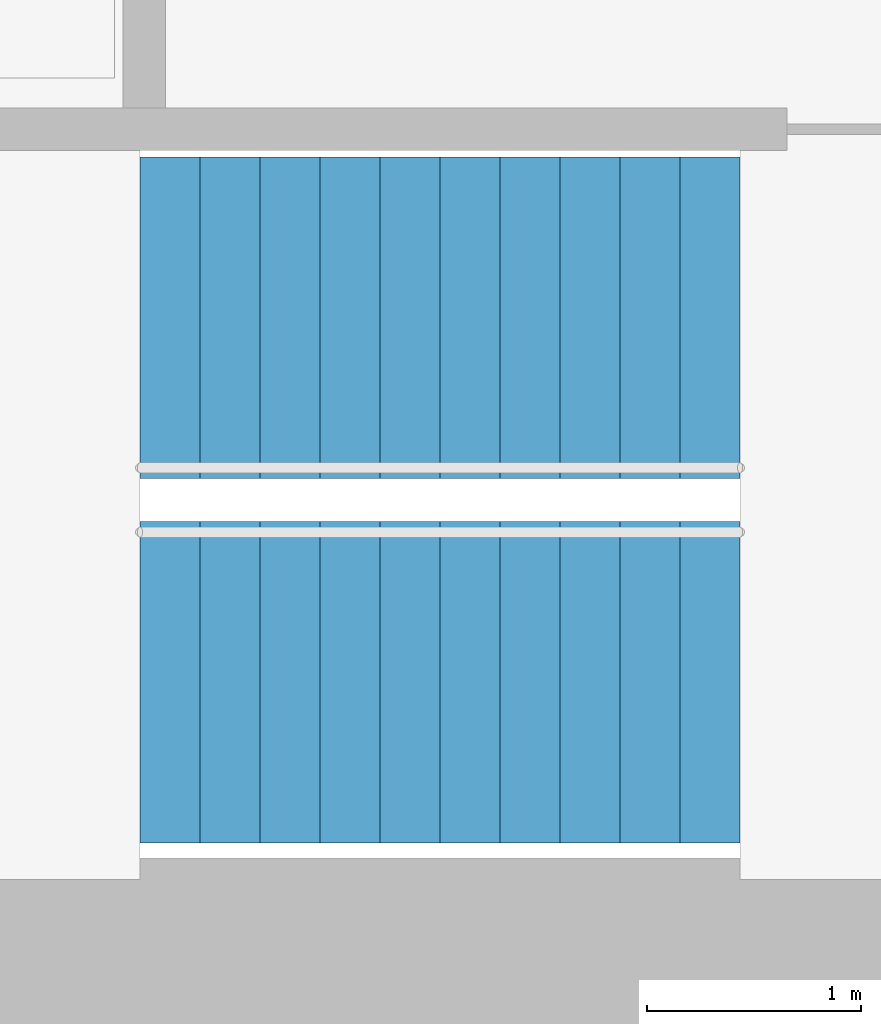
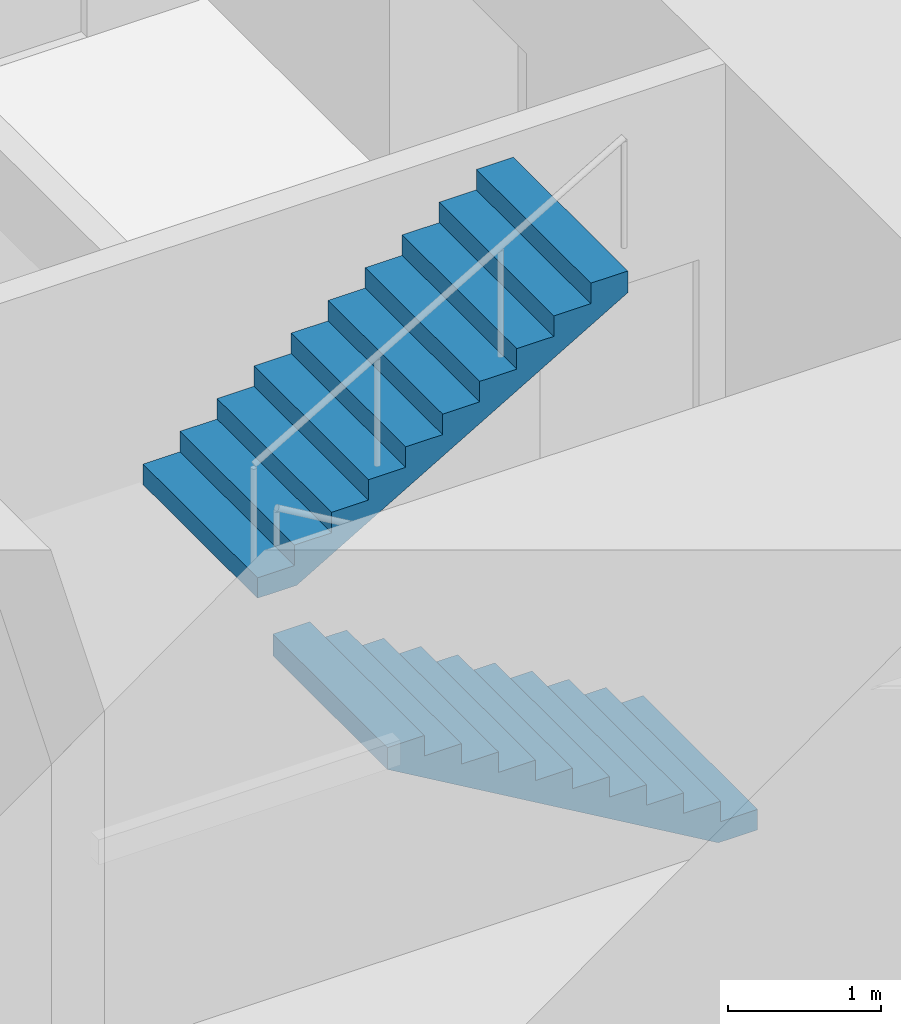
# One storey, part 14 of 15: 2 stair flights, 1 element without a shape of its own.
"""IFC4 building model written with IfcOpenShell, lengths in metres."""

import ifcopenshell
import ifcopenshell.guid

model = None  # the IFC model being written
_history = None  # IfcOwnerHistory: only IFC2X3 demands one
_inside = {}  # id of a spatial element -> (the spatial element, [elements in it])
_under = {}  # id of a project, library or spatial element -> (it, [spatial elements below it])
_declared = {}  # id of a project -> (the project, [libraries it declares])
_typed = {}  # id of a type object -> (the type object, [elements of that type])
_made_of = {}  # id of a material, layer set ... -> (it, [elements and type objects made of it])


def new_model(schema):
    """Start an empty IFC model of exactly this schema.

    Asked for "IFC4X3", IfcOpenShell would pick the latest addendum, in which some entities
    have other attributes; the version numbers below select the first issue.
    IFC2X3 requires an IfcOwnerHistory on every rooted entity: one is made here for all.
    """
    global model, _history
    if schema == "IFC4X3":
        model = ifcopenshell.file(schema_version=(4, 3, 0, 0))
    else:
        model = ifcopenshell.file(schema=schema)
    _inside.clear()
    _under.clear()
    _declared.clear()
    _typed.clear()
    _made_of.clear()
    _history = None
    if model.schema == "IFC2X3":
        org = make("IfcOrganization", Name="unknown")
        user = make(
            "IfcPersonAndOrganization",
            ThePerson=make("IfcPerson", FamilyName="unknown"),
            TheOrganization=org,
        )
        app = make(
            "IfcApplication",
            ApplicationDeveloper=org,
            Version="unknown",
            ApplicationFullName="unknown",
            ApplicationIdentifier="unknown",
        )
        _history = make(
            "IfcOwnerHistory",
            OwningUser=user,
            OwningApplication=app,
            ChangeAction="ADDED",
            CreationDate=0,
        )
    return model


def make(cls, **values):
    """One entity of the class cls with the attributes given. An attribute that is None is left unset."""
    return model.create_entity(
        cls, **{name: value for name, value in values.items() if value is not None}
    )


def rooted(cls, **values):
    """An entity with a GlobalId (a new one), such as an element, a storey or a relation."""
    return make(cls, GlobalId=ifcopenshell.guid.new(), OwnerHistory=_history, **values)


def si_unit(unit_type, name, prefix=None):
    """IfcSIUnit, for example si_unit("LENGTHUNIT", "METRE", prefix="MILLI")."""
    return make("IfcSIUnit", UnitType=unit_type, Prefix=prefix, Name=name)


def assignment(units):
    """IfcUnitAssignment: the units of a project."""
    return None if units is None else make("IfcUnitAssignment", Units=units)


def point(xyz):
    """IfcCartesianPoint."""
    return None if xyz is None else make("IfcCartesianPoint", Coordinates=xyz)


def direction(xyz):
    """IfcDirection."""
    return None if xyz is None else make("IfcDirection", DirectionRatios=xyz)


def frame(location, z_axis=None, x_axis=None):
    """IfcAxis2Placement3D, a coordinate frame: its origin and axes. An axis left out is left unset."""
    return make(
        "IfcAxis2Placement3D",
        Location=point(location),
        Axis=direction(z_axis),
        RefDirection=direction(x_axis),
    )


def origin():
    """The frame at (0, 0, 0) with its axes left unset."""
    return frame((0.0, 0.0, 0.0))


def place(relative_to, where):
    """IfcLocalPlacement: puts the frame where relative to a parent placement (None: the world)."""
    return make(
        "IfcLocalPlacement", PlacementRelTo=relative_to, RelativePlacement=where
    )


def context(
    kind, dimensions, precision=None, world=None, true_north=None, identifier=None
):
    """IfcGeometricRepresentationContext, for example the 3D "Model" context."""
    return make(
        "IfcGeometricRepresentationContext",
        ContextIdentifier=identifier,
        ContextType=kind,
        CoordinateSpaceDimension=dimensions,
        Precision=precision,
        WorldCoordinateSystem=world,
        TrueNorth=true_north,
    )


def subcontext(parent, identifier, kind, view, scale=None):
    """IfcGeometricRepresentationSubContext, for example "Body" below "Model"."""
    return make(
        "IfcGeometricRepresentationSubContext",
        ContextIdentifier=identifier,
        ContextType=kind,
        ParentContext=parent,
        TargetScale=scale,
        TargetView=view,
    )


def project(units=None, contexts=None):
    """IfcProject with its units and contexts."""
    return rooted(
        "IfcProject",
        Name="project",
        RepresentationContexts=contexts,
        UnitsInContext=assignment(units),
    )


def spatial(cls, under=None, at=None, **own):
    """A site, building, storey or space (cls), placed at a placement, below another one or the project."""
    s = rooted(cls, ObjectPlacement=at, **own)
    if under is not None:
        _under.setdefault(under.id(), (under, []))[1].append(s)
    return s


def point_list(points):
    """IfcCartesianPointList2D or 3D."""
    cls = (
        "IfcCartesianPointList2D" if len(points[0]) == 2 else "IfcCartesianPointList3D"
    )
    return make(cls, CoordList=points)


def triangles(points, corners, closed=None, point_numbers=None):
    """IfcTriangulatedFaceSet: each triangle names its three corners, points numbered from 1."""
    return make(
        "IfcTriangulatedFaceSet",
        Coordinates=point_list(points),
        Closed=closed,
        CoordIndex=corners,
        PnIndex=point_numbers,
    )


def shape(context_of_items, identifier, shape_type, items):
    """IfcShapeRepresentation: the items that make up one representation, for example the "Body"."""
    return make(
        "IfcShapeRepresentation",
        ContextOfItems=context_of_items,
        RepresentationIdentifier=identifier,
        RepresentationType=shape_type,
        Items=items,
    )


def material(Name=None, Category=None):
    """IfcMaterial."""
    return make("IfcMaterial", Name=Name, Category=Category)


def made_of(thing, what):
    """Note that an element or type object is made of a material, layer set ...; save() writes the relation."""
    if what is not None:
        _made_of.setdefault(what.id(), (what, []))[1].append(thing)
    return thing


def type_object(cls, material=None, **own):
    """A type object (cls), such as IfcWallType, which elements share."""
    return made_of(rooted(cls, **own), material)


def element(
    cls,
    number,
    at=None,
    inside=None,
    cuts=None,
    type_object=None,
    material=None,
    context=None,
    identifier="Body",
    shape_type=None,
    held_by="IfcProductDefinitionShape",
    body=None,
    shapes=None,
    **own,
):
    """One element of the class cls, such as IfcWall. Its Tag is "e" and its number.

    at: its placement. inside: the storey or other place that contains it. cuts: it is an
    opening in that element (IfcRelVoidsElement). A single representation is given by context,
    identifier, shape_type and body (its items); several are given by shapes. held_by: the class
    of the entity that holds the representations. save() writes the other relations.
    """
    e = rooted(cls, Tag="e%d" % number, ObjectPlacement=at, **own)
    if body is not None:
        shapes = [shape(context, identifier, shape_type, body)]
    if shapes is not None:
        e.Representation = make(held_by, Representations=shapes)
    if inside is not None:
        _inside.setdefault(inside.id(), (inside, []))[1].append(e)
    if cuts is not None:
        rooted(
            "IfcRelVoidsElement", RelatingBuildingElement=cuts, RelatedOpeningElement=e
        )
    if type_object is not None:
        _typed.setdefault(type_object.id(), (type_object, []))[1].append(e)
    return made_of(e, material)


def aggregate(whole, parts):
    """IfcRelAggregates: a whole, such as a stair, and the parts it consists of."""
    return rooted("IfcRelAggregates", RelatingObject=whole, RelatedObjects=parts)


def save(model, path):
    """Write the relations noted so far, then the file.

    IfcRelAggregates (storeys below a building ...), IfcRelContainedInSpatialStructure (elements
    in a storey), IfcRelDefinesByType, IfcRelAssociatesMaterial and IfcRelDeclares: one each for
    every whole, place, type object, material and project.
    """
    for whole, parts in _under.values():
        aggregate(whole, parts)
    for where, things in _inside.values():
        rooted(
            "IfcRelContainedInSpatialStructure",
            RelatedElements=things,
            RelatingStructure=where,
        )
    for kind, things in _typed.values():
        rooted("IfcRelDefinesByType", RelatedObjects=things, RelatingType=kind)
    for what, things in _made_of.values():
        rooted("IfcRelAssociatesMaterial", RelatedObjects=things, RelatingMaterial=what)
    for by, libraries in _declared.values():
        rooted("IfcRelDeclares", RelatingContext=by, RelatedDefinitions=libraries)
    model.write(path)


model = new_model("IFC4")

# Units and contexts
model_context = context("Model", 3, precision=1e-05, world=origin(), true_north=direction((0.0, 1.0)))
body_context = subcontext(model_context, "Body", "Model", "MODEL_VIEW")
ifc_project = project(units=[si_unit("LENGTHUNIT", "METRE"), si_unit("AREAUNIT", "SQUARE_METRE"), si_unit("VOLUMEUNIT", "CUBIC_METRE"), si_unit("PLANEANGLEUNIT", "RADIAN"), si_unit("MASSUNIT", "GRAM", prefix="KILO")], contexts=[model_context])

# Site, building, storey
site_placement = place(None, origin())
site = spatial("IfcSite", under=ifc_project, at=site_placement, CompositionType="ELEMENT")
building_placement = place(site_placement, origin())
building = spatial("IfcBuilding", under=site, at=building_placement, Name="Lantaw Convention Tower", CompositionType="ELEMENT")
storey_placement = place(building_placement, frame((0.0, 0.0, 65.800048828125)))
storey = spatial("IfcBuildingStorey", under=building, at=storey_placement, Name="L14", CompositionType="ELEMENT", Elevation=65.800048828125)

# Stair, stair flights
ifc_material = material(Name="Concrete C35/45", Category="concrete")
stair_type = type_object("IfcStairType", Name="Exit stair 1500 riser 163.64 in 2 flights", PredefinedType="HALF_TURN_STAIR", material=ifc_material)
stair_placement = place(storey_placement, origin())
stair = element("IfcStair", 1, at=stair_placement, inside=storey, type_object=stair_type, Name="Exit stair S2 L14", PredefinedType="HALF_TURN_STAIR")
stair_flight_type = type_object("IfcStairFlightType", Name="Stair flight 1500 riser 163.64", PredefinedType="STRAIGHT", material=ifc_material)
stair_flight_1_placement = place(storey_placement, frame((10.580078125, -5.97998046875, 0.0), z_axis=(0.0, 0.0, 1.0), x_axis=(-1.0, 0.0, 0.0)))
stair_flight_1 = element("IfcStairFlight", 2, at=stair_flight_1_placement, type_object=stair_flight_type, Name="S2 flight 1", NumberOfRisers=11, NumberOfTreads=10, PredefinedType="STRAIGHT", RiserHeight=0.163636364, TreadLength=0.28, context=body_context, shape_type="Tessellation", body=[
    triangles([(0.0, 0.75, 0.0), (0.0, 0.75, 0.163636364), (0.28, 0.75, 0.0), (0.28, 0.75, 0.163636364), (0.28, 0.75, 0.327272728), (0.2970904571225277, 0.75, 0.0), (0.2970904571225277, 0.75, 0.327272728), (0.56, 0.75, 0.1536484344906131), (0.56, 0.75, 0.327272728), (0.56, 0.75, 0.490909092), (0.8400000000000001, 0.75, 0.3172847984906131), (0.8400000000000001, 0.75, 0.490909092), (0.8400000000000001, 0.75, 0.654545456), (1.12, 0.75, 0.4809211624906131), (1.12, 0.75, 0.654545456), (1.12, 0.75, 0.8181818200000001), (1.4000000000000001, 0.75, 0.6445575264906132), (1.4000000000000001, 0.75, 0.8181818200000001), (1.4000000000000001, 0.75, 0.981818184), (1.6800000000000002, 0.75, 0.8081938904906131), (1.6800000000000002, 0.75, 0.981818184), (1.6800000000000002, 0.75, 1.145454548), (1.9600000000000002, 0.75, 0.9718302544906131), (1.9600000000000002, 0.75, 1.145454548), (1.9600000000000002, 0.75, 1.309090912), (2.24, 0.75, 1.135466618490613), (2.24, 0.75, 1.309090912), (2.24, 0.75, 1.472727276), (2.5200000000000005, 0.75, 1.2991029824906133), (2.5200000000000005, 0.75, 1.472727276), (2.5200000000000005, 0.75, 1.6363636400000001), (2.8000000000000003, 0.75, 1.462739346490613), (2.8000000000000003, 0.75, 1.6363636400000001), (0.0, -0.75, 0.0), (0.0, -0.75, 0.163636364), (0.28, -0.75, 0.0), (0.28, -0.75, 0.163636364), (0.28, -0.75, 0.327272728), (0.2970904571225277, -0.75, 0.0), (0.2970904571225277, -0.75, 0.327272728), (0.56, -0.75, 0.1536484344906131), (0.56, -0.75, 0.327272728), (0.56, -0.75, 0.490909092), (0.8400000000000001, -0.75, 0.3172847984906131), (0.8400000000000001, -0.75, 0.490909092), (0.8400000000000001, -0.75, 0.654545456), (1.12, -0.75, 0.4809211624906131), (1.12, -0.75, 0.654545456), (1.12, -0.75, 0.8181818200000001), (1.4000000000000001, -0.75, 0.6445575264906132), (1.4000000000000001, -0.75, 0.8181818200000001), (1.4000000000000001, -0.75, 0.981818184), (1.6800000000000002, -0.75, 0.8081938904906131), (1.6800000000000002, -0.75, 0.981818184), (1.6800000000000002, -0.75, 1.145454548), (1.9600000000000002, -0.75, 0.9718302544906131), (1.9600000000000002, -0.75, 1.145454548), (1.9600000000000002, -0.75, 1.309090912), (2.24, -0.75, 1.135466618490613), (2.24, -0.75, 1.309090912), (2.24, -0.75, 1.472727276), (2.5200000000000005, -0.75, 1.2991029824906133), (2.5200000000000005, -0.75, 1.472727276), (2.5200000000000005, -0.75, 1.6363636400000001), (2.8000000000000003, -0.75, 1.462739346490613), (2.8000000000000003, -0.75, 1.6363636400000001), (0.0, 0.15000000000000002, 0.163636364), (0.0, 0.15000000000000002, 0.0), (0.0, 0.0, 0.163636364), (0.0, 0.0, 0.0), (0.0, -0.15000000000000002, 0.163636364), (0.0, -0.15000000000000002, 0.0), (0.28, 0.15000000000000002, 0.327272728), (0.28, 0.15000000000000002, 0.163636364), (0.28, 0.0, 0.327272728), (0.28, 0.0, 0.163636364), (0.28, -0.15000000000000002, 0.327272728), (0.28, -0.15000000000000002, 0.163636364), (0.56, 0.15000000000000002, 0.490909092), (0.56, 0.15000000000000002, 0.327272728), (0.56, 0.0, 0.490909092), (0.56, 0.0, 0.327272728), (0.56, -0.15000000000000002, 0.490909092), (0.56, -0.15000000000000002, 0.327272728), (0.8400000000000001, 0.15000000000000002, 0.654545456), (0.8400000000000001, 0.15000000000000002, 0.490909092), (0.8400000000000001, 0.0, 0.654545456), (0.8400000000000001, 0.0, 0.490909092), (0.8400000000000001, -0.15000000000000002, 0.654545456), (0.8400000000000001, -0.15000000000000002, 0.490909092), (1.12, 0.15000000000000002, 0.8181818200000001), (1.12, 0.15000000000000002, 0.654545456), (1.12, 0.0, 0.8181818200000001), (1.12, 0.0, 0.654545456), (1.12, -0.15000000000000002, 0.8181818200000001), (1.12, -0.15000000000000002, 0.654545456), (1.4000000000000001, 0.15000000000000002, 0.981818184), (1.4000000000000001, 0.15000000000000002, 0.8181818200000001), (1.4000000000000001, 0.0, 0.981818184), (1.4000000000000001, 0.0, 0.8181818200000001), (1.4000000000000001, -0.15000000000000002, 0.981818184), (1.4000000000000001, -0.15000000000000002, 0.8181818200000001), (1.6800000000000002, 0.15000000000000002, 1.145454548), (1.6800000000000002, 0.15000000000000002, 0.981818184), (1.6800000000000002, 0.0, 1.145454548), (1.6800000000000002, 0.0, 0.981818184), (1.6800000000000002, -0.15000000000000002, 1.145454548), (1.6800000000000002, -0.15000000000000002, 0.981818184), (1.9600000000000002, 0.15000000000000002, 1.309090912), (1.9600000000000002, 0.15000000000000002, 1.145454548), (1.9600000000000002, 0.0, 1.309090912), (1.9600000000000002, 0.0, 1.145454548), (1.9600000000000002, -0.15000000000000002, 1.309090912), (1.9600000000000002, -0.15000000000000002, 1.145454548), (2.24, 0.15000000000000002, 1.472727276), (2.24, 0.15000000000000002, 1.309090912), (2.24, 0.0, 1.472727276), (2.24, 0.0, 1.309090912), (2.24, -0.15000000000000002, 1.472727276), (2.24, -0.15000000000000002, 1.309090912), (2.5200000000000005, 0.15000000000000002, 1.6363636400000001), (2.5200000000000005, 0.15000000000000002, 1.472727276), (2.5200000000000005, 0.0, 1.6363636400000001), (2.5200000000000005, 0.0, 1.472727276), (2.5200000000000005, -0.15000000000000002, 1.6363636400000001), (2.5200000000000005, -0.15000000000000002, 1.472727276), (0.2970904571225277, 0.15000000000000002, 0.327272728), (0.2970904571225277, 0.0, 0.327272728), (0.2970904571225277, -0.15000000000000002, 0.327272728), (2.8000000000000003, 0.15000000000000002, 1.6363636400000001), (2.8000000000000003, 0.0, 1.6363636400000001), (2.8000000000000003, -0.15000000000000002, 1.6363636400000001), (2.8000000000000003, 0.15000000000000002, 1.462739346490613), (2.8000000000000003, 0.0, 1.462739346490613), (2.8000000000000003, -0.15000000000000002, 1.462739346490613), (2.5200000000000005, 0.15000000000000002, 1.2991029824906133), (2.5200000000000005, 0.0, 1.2991029824906133), (2.5200000000000005, -0.15000000000000002, 1.2991029824906133), (2.24, 0.15000000000000002, 1.135466618490613), (2.24, 0.0, 1.135466618490613), (2.24, -0.15000000000000002, 1.135466618490613), (1.9600000000000002, 0.15000000000000002, 0.9718302544906131), (1.9600000000000002, 0.0, 0.9718302544906131), (1.9600000000000002, -0.15000000000000002, 0.9718302544906131), (1.6800000000000002, 0.15000000000000002, 0.8081938904906131), (1.6800000000000002, 0.0, 0.8081938904906131), (1.6800000000000002, -0.15000000000000002, 0.8081938904906131), (1.4000000000000001, 0.15000000000000002, 0.6445575264906132), (1.4000000000000001, 0.0, 0.6445575264906132), (1.4000000000000001, -0.15000000000000002, 0.6445575264906132), (1.12, 0.15000000000000002, 0.4809211624906131), (1.12, 0.0, 0.4809211624906131), (1.12, -0.15000000000000002, 0.4809211624906131), (0.8400000000000001, 0.15000000000000002, 0.3172847984906131), (0.8400000000000001, 0.0, 0.3172847984906131), (0.8400000000000001, -0.15000000000000002, 0.3172847984906131), (0.56, 0.15000000000000002, 0.1536484344906131), (0.56, 0.0, 0.1536484344906131), (0.56, -0.15000000000000002, 0.1536484344906131), (0.2970904571225277, 0.15000000000000002, 0.0), (0.2970904571225277, 0.0, 0.0), (0.2970904571225277, -0.15000000000000002, 0.0), (0.28, 0.15000000000000002, 0.0), (0.28, 0.0, 0.0), (0.28, -0.15000000000000002, 0.0)], [[1, 4, 3], [1, 2, 4], [3, 4, 6], [4, 7, 6], [4, 5, 7], [6, 9, 8], [6, 7, 9], [8, 9, 11], [9, 12, 11], [9, 10, 12], [11, 12, 14], [12, 15, 14], [12, 13, 15], [14, 15, 17], [15, 18, 17], [15, 16, 18], [17, 18, 20], [18, 21, 20], [18, 19, 21], [20, 21, 23], [21, 24, 23], [21, 22, 24], [23, 24, 26], [24, 27, 26], [24, 25, 27], [26, 27, 29], [27, 30, 29], [27, 28, 30], [29, 30, 32], [30, 33, 32], [30, 31, 33], [34, 36, 37], [34, 37, 35], [36, 39, 37], [37, 39, 40], [37, 40, 38], [39, 41, 42], [39, 42, 40], [41, 44, 42], [42, 44, 45], [42, 45, 43], [44, 47, 45], [45, 47, 48], [45, 48, 46], [47, 50, 48], [48, 50, 51], [48, 51, 49], [50, 53, 51], [51, 53, 54], [51, 54, 52], [53, 56, 54], [54, 56, 57], [54, 57, 55], [56, 59, 57], [57, 59, 60], [57, 60, 58], [59, 62, 60], [60, 62, 63], [60, 63, 61], [62, 65, 63], [63, 65, 66], [63, 66, 64], [1, 67, 2], [1, 68, 67], [68, 69, 67], [68, 70, 69], [70, 71, 69], [70, 72, 71], [72, 35, 71], [72, 34, 35], [4, 73, 5], [4, 74, 73], [74, 75, 73], [74, 76, 75], [76, 77, 75], [76, 78, 77], [78, 38, 77], [78, 37, 38], [9, 79, 10], [9, 80, 79], [80, 81, 79], [80, 82, 81], [82, 83, 81], [82, 84, 83], [84, 43, 83], [84, 42, 43], [12, 85, 13], [12, 86, 85], [86, 87, 85], [86, 88, 87], [88, 89, 87], [88, 90, 89], [90, 46, 89], [90, 45, 46], [15, 91, 16], [15, 92, 91], [92, 93, 91], [92, 94, 93], [94, 95, 93], [94, 96, 95], [96, 49, 95], [96, 48, 49], [18, 97, 19], [18, 98, 97], [98, 99, 97], [98, 100, 99], [100, 101, 99], [100, 102, 101], [102, 52, 101], [102, 51, 52], [21, 103, 22], [21, 104, 103], [104, 105, 103], [104, 106, 105], [106, 107, 105], [106, 108, 107], [108, 55, 107], [108, 54, 55], [24, 109, 25], [24, 110, 109], [110, 111, 109], [110, 112, 111], [112, 113, 111], [112, 114, 113], [114, 58, 113], [114, 57, 58], [27, 115, 28], [27, 116, 115], [116, 117, 115], [116, 118, 117], [118, 119, 117], [118, 120, 119], [120, 61, 119], [120, 60, 61], [30, 121, 31], [30, 122, 121], [122, 123, 121], [122, 124, 123], [124, 125, 123], [124, 126, 125], [126, 64, 125], [126, 63, 64], [2, 74, 4], [2, 67, 74], [67, 76, 74], [67, 69, 76], [69, 78, 76], [69, 71, 78], [71, 37, 78], [71, 35, 37], [5, 127, 7], [5, 73, 127], [73, 128, 127], [73, 75, 128], [75, 129, 128], [75, 77, 129], [77, 40, 129], [77, 38, 40], [7, 80, 9], [7, 127, 80], [127, 82, 80], [127, 128, 82], [128, 84, 82], [128, 129, 84], [129, 42, 84], [129, 40, 42], [10, 86, 12], [10, 79, 86], [79, 88, 86], [79, 81, 88], [81, 90, 88], [81, 83, 90], [83, 45, 90], [83, 43, 45], [13, 92, 15], [13, 85, 92], [85, 94, 92], [85, 87, 94], [87, 96, 94], [87, 89, 96], [89, 48, 96], [89, 46, 48], [16, 98, 18], [16, 91, 98], [91, 100, 98], [91, 93, 100], [93, 102, 100], [93, 95, 102], [95, 51, 102], [95, 49, 51], [19, 104, 21], [19, 97, 104], [97, 106, 104], [97, 99, 106], [99, 108, 106], [99, 101, 108], [101, 54, 108], [101, 52, 54], [22, 110, 24], [22, 103, 110], [103, 112, 110], [103, 105, 112], [105, 114, 112], [105, 107, 114], [107, 57, 114], [107, 55, 57], [25, 116, 27], [25, 109, 116], [109, 118, 116], [109, 111, 118], [111, 120, 118], [111, 113, 120], [113, 60, 120], [113, 58, 60], [28, 122, 30], [28, 115, 122], [115, 124, 122], [115, 117, 124], [117, 126, 124], [117, 119, 126], [119, 63, 126], [119, 61, 63], [31, 130, 33], [31, 121, 130], [121, 131, 130], [121, 123, 131], [123, 132, 131], [123, 125, 132], [125, 66, 132], [125, 64, 66], [33, 133, 32], [33, 130, 133], [130, 134, 133], [130, 131, 134], [131, 135, 134], [131, 132, 135], [132, 65, 135], [132, 66, 65], [32, 136, 29], [32, 133, 136], [133, 137, 136], [133, 134, 137], [134, 138, 137], [134, 135, 138], [135, 62, 138], [135, 65, 62], [29, 139, 26], [29, 136, 139], [136, 140, 139], [136, 137, 140], [137, 141, 140], [137, 138, 141], [138, 59, 141], [138, 62, 59], [26, 142, 23], [26, 139, 142], [139, 143, 142], [139, 140, 143], [140, 144, 143], [140, 141, 144], [141, 56, 144], [141, 59, 56], [23, 145, 20], [23, 142, 145], [142, 146, 145], [142, 143, 146], [143, 147, 146], [143, 144, 147], [144, 53, 147], [144, 56, 53], [20, 148, 17], [20, 145, 148], [145, 149, 148], [145, 146, 149], [146, 150, 149], [146, 147, 150], [147, 50, 150], [147, 53, 50], [17, 151, 14], [17, 148, 151], [148, 152, 151], [148, 149, 152], [149, 153, 152], [149, 150, 153], [150, 47, 153], [150, 50, 47], [14, 154, 11], [14, 151, 154], [151, 155, 154], [151, 152, 155], [152, 156, 155], [152, 153, 156], [153, 44, 156], [153, 47, 44], [11, 157, 8], [11, 154, 157], [154, 158, 157], [154, 155, 158], [155, 159, 158], [155, 156, 159], [156, 41, 159], [156, 44, 41], [8, 160, 6], [8, 157, 160], [157, 161, 160], [157, 158, 161], [158, 162, 161], [158, 159, 162], [159, 39, 162], [159, 41, 39], [6, 163, 3], [6, 160, 163], [160, 164, 163], [160, 161, 164], [161, 165, 164], [161, 162, 165], [162, 36, 165], [162, 39, 36], [3, 68, 1], [3, 163, 68], [163, 70, 68], [163, 164, 70], [164, 72, 70], [164, 165, 72], [165, 34, 72], [165, 36, 34]], closed=True),
])
stair_flight_2_placement = place(storey_placement, frame((7.780029296875, -4.280029296875, 1.800048828125), z_axis=(0.0, 0.0, 1.0), x_axis=(1.0, 0.0, 0.0)))
stair_flight_2 = element("IfcStairFlight", 3, at=stair_flight_2_placement, type_object=stair_flight_type, Name="S2 flight 2", NumberOfRisers=11, NumberOfTreads=10, PredefinedType="STRAIGHT", RiserHeight=0.163636364, TreadLength=0.28, context=body_context, shape_type="Tessellation", body=[
    triangles([(0.0, 0.75, 0.0), (0.0, 0.75, 0.163636364), (0.28, 0.75, 0.0), (0.28, 0.75, 0.163636364), (0.28, 0.75, 0.327272728), (0.2970904571225277, 0.75, 0.0), (0.2970904571225277, 0.75, 0.327272728), (0.56, 0.75, 0.1536484344906131), (0.56, 0.75, 0.327272728), (0.56, 0.75, 0.490909092), (0.8400000000000001, 0.75, 0.3172847984906131), (0.8400000000000001, 0.75, 0.490909092), (0.8400000000000001, 0.75, 0.654545456), (1.12, 0.75, 0.4809211624906131), (1.12, 0.75, 0.654545456), (1.12, 0.75, 0.8181818200000001), (1.4000000000000001, 0.75, 0.6445575264906132), (1.4000000000000001, 0.75, 0.8181818200000001), (1.4000000000000001, 0.75, 0.981818184), (1.6800000000000002, 0.75, 0.8081938904906131), (1.6800000000000002, 0.75, 0.981818184), (1.6800000000000002, 0.75, 1.145454548), (1.9600000000000002, 0.75, 0.9718302544906131), (1.9600000000000002, 0.75, 1.145454548), (1.9600000000000002, 0.75, 1.309090912), (2.24, 0.75, 1.135466618490613), (2.24, 0.75, 1.309090912), (2.24, 0.75, 1.472727276), (2.5200000000000005, 0.75, 1.2991029824906133), (2.5200000000000005, 0.75, 1.472727276), (2.5200000000000005, 0.75, 1.6363636400000001), (2.8000000000000003, 0.75, 1.462739346490613), (2.8000000000000003, 0.75, 1.6363636400000001), (0.0, -0.75, 0.0), (0.0, -0.75, 0.163636364), (0.28, -0.75, 0.0), (0.28, -0.75, 0.163636364), (0.28, -0.75, 0.327272728), (0.2970904571225277, -0.75, 0.0), (0.2970904571225277, -0.75, 0.327272728), (0.56, -0.75, 0.1536484344906131), (0.56, -0.75, 0.327272728), (0.56, -0.75, 0.490909092), (0.8400000000000001, -0.75, 0.3172847984906131), (0.8400000000000001, -0.75, 0.490909092), (0.8400000000000001, -0.75, 0.654545456), (1.12, -0.75, 0.4809211624906131), (1.12, -0.75, 0.654545456), (1.12, -0.75, 0.8181818200000001), (1.4000000000000001, -0.75, 0.6445575264906132), (1.4000000000000001, -0.75, 0.8181818200000001), (1.4000000000000001, -0.75, 0.981818184), (1.6800000000000002, -0.75, 0.8081938904906131), (1.6800000000000002, -0.75, 0.981818184), (1.6800000000000002, -0.75, 1.145454548), (1.9600000000000002, -0.75, 0.9718302544906131), (1.9600000000000002, -0.75, 1.145454548), (1.9600000000000002, -0.75, 1.309090912), (2.24, -0.75, 1.135466618490613), (2.24, -0.75, 1.309090912), (2.24, -0.75, 1.472727276), (2.5200000000000005, -0.75, 1.2991029824906133), (2.5200000000000005, -0.75, 1.472727276), (2.5200000000000005, -0.75, 1.6363636400000001), (2.8000000000000003, -0.75, 1.462739346490613), (2.8000000000000003, -0.75, 1.6363636400000001), (0.0, 0.15000000000000002, 0.163636364), (0.0, 0.15000000000000002, 0.0), (0.0, 0.0, 0.163636364), (0.0, 0.0, 0.0), (0.0, -0.15000000000000002, 0.163636364), (0.0, -0.15000000000000002, 0.0), (0.28, 0.15000000000000002, 0.327272728), (0.28, 0.15000000000000002, 0.163636364), (0.28, 0.0, 0.327272728), (0.28, 0.0, 0.163636364), (0.28, -0.15000000000000002, 0.327272728), (0.28, -0.15000000000000002, 0.163636364), (0.56, 0.15000000000000002, 0.490909092), (0.56, 0.15000000000000002, 0.327272728), (0.56, 0.0, 0.490909092), (0.56, 0.0, 0.327272728), (0.56, -0.15000000000000002, 0.490909092), (0.56, -0.15000000000000002, 0.327272728), (0.8400000000000001, 0.15000000000000002, 0.654545456), (0.8400000000000001, 0.15000000000000002, 0.490909092), (0.8400000000000001, 0.0, 0.654545456), (0.8400000000000001, 0.0, 0.490909092), (0.8400000000000001, -0.15000000000000002, 0.654545456), (0.8400000000000001, -0.15000000000000002, 0.490909092), (1.12, 0.15000000000000002, 0.8181818200000001), (1.12, 0.15000000000000002, 0.654545456), (1.12, 0.0, 0.8181818200000001), (1.12, 0.0, 0.654545456), (1.12, -0.15000000000000002, 0.8181818200000001), (1.12, -0.15000000000000002, 0.654545456), (1.4000000000000001, 0.15000000000000002, 0.981818184), (1.4000000000000001, 0.15000000000000002, 0.8181818200000001), (1.4000000000000001, 0.0, 0.981818184), (1.4000000000000001, 0.0, 0.8181818200000001), (1.4000000000000001, -0.15000000000000002, 0.981818184), (1.4000000000000001, -0.15000000000000002, 0.8181818200000001), (1.6800000000000002, 0.15000000000000002, 1.145454548), (1.6800000000000002, 0.15000000000000002, 0.981818184), (1.6800000000000002, 0.0, 1.145454548), (1.6800000000000002, 0.0, 0.981818184), (1.6800000000000002, -0.15000000000000002, 1.145454548), (1.6800000000000002, -0.15000000000000002, 0.981818184), (1.9600000000000002, 0.15000000000000002, 1.309090912), (1.9600000000000002, 0.15000000000000002, 1.145454548), (1.9600000000000002, 0.0, 1.309090912), (1.9600000000000002, 0.0, 1.145454548), (1.9600000000000002, -0.15000000000000002, 1.309090912), (1.9600000000000002, -0.15000000000000002, 1.145454548), (2.24, 0.15000000000000002, 1.472727276), (2.24, 0.15000000000000002, 1.309090912), (2.24, 0.0, 1.472727276), (2.24, 0.0, 1.309090912), (2.24, -0.15000000000000002, 1.472727276), (2.24, -0.15000000000000002, 1.309090912), (2.5200000000000005, 0.15000000000000002, 1.6363636400000001), (2.5200000000000005, 0.15000000000000002, 1.472727276), (2.5200000000000005, 0.0, 1.6363636400000001), (2.5200000000000005, 0.0, 1.472727276), (2.5200000000000005, -0.15000000000000002, 1.6363636400000001), (2.5200000000000005, -0.15000000000000002, 1.472727276), (0.2970904571225277, 0.15000000000000002, 0.327272728), (0.2970904571225277, 0.0, 0.327272728), (0.2970904571225277, -0.15000000000000002, 0.327272728), (2.8000000000000003, 0.15000000000000002, 1.6363636400000001), (2.8000000000000003, 0.0, 1.6363636400000001), (2.8000000000000003, -0.15000000000000002, 1.6363636400000001), (2.8000000000000003, 0.15000000000000002, 1.462739346490613), (2.8000000000000003, 0.0, 1.462739346490613), (2.8000000000000003, -0.15000000000000002, 1.462739346490613), (2.5200000000000005, 0.15000000000000002, 1.2991029824906133), (2.5200000000000005, 0.0, 1.2991029824906133), (2.5200000000000005, -0.15000000000000002, 1.2991029824906133), (2.24, 0.15000000000000002, 1.135466618490613), (2.24, 0.0, 1.135466618490613), (2.24, -0.15000000000000002, 1.135466618490613), (1.9600000000000002, 0.15000000000000002, 0.9718302544906131), (1.9600000000000002, 0.0, 0.9718302544906131), (1.9600000000000002, -0.15000000000000002, 0.9718302544906131), (1.6800000000000002, 0.15000000000000002, 0.8081938904906131), (1.6800000000000002, 0.0, 0.8081938904906131), (1.6800000000000002, -0.15000000000000002, 0.8081938904906131), (1.4000000000000001, 0.15000000000000002, 0.6445575264906132), (1.4000000000000001, 0.0, 0.6445575264906132), (1.4000000000000001, -0.15000000000000002, 0.6445575264906132), (1.12, 0.15000000000000002, 0.4809211624906131), (1.12, 0.0, 0.4809211624906131), (1.12, -0.15000000000000002, 0.4809211624906131), (0.8400000000000001, 0.15000000000000002, 0.3172847984906131), (0.8400000000000001, 0.0, 0.3172847984906131), (0.8400000000000001, -0.15000000000000002, 0.3172847984906131), (0.56, 0.15000000000000002, 0.1536484344906131), (0.56, 0.0, 0.1536484344906131), (0.56, -0.15000000000000002, 0.1536484344906131), (0.2970904571225277, 0.15000000000000002, 0.0), (0.2970904571225277, 0.0, 0.0), (0.2970904571225277, -0.15000000000000002, 0.0), (0.28, 0.15000000000000002, 0.0), (0.28, 0.0, 0.0), (0.28, -0.15000000000000002, 0.0)], [[1, 4, 3], [1, 2, 4], [3, 4, 6], [4, 7, 6], [4, 5, 7], [6, 9, 8], [6, 7, 9], [8, 9, 11], [9, 12, 11], [9, 10, 12], [11, 12, 14], [12, 15, 14], [12, 13, 15], [14, 15, 17], [15, 18, 17], [15, 16, 18], [17, 18, 20], [18, 21, 20], [18, 19, 21], [20, 21, 23], [21, 24, 23], [21, 22, 24], [23, 24, 26], [24, 27, 26], [24, 25, 27], [26, 27, 29], [27, 30, 29], [27, 28, 30], [29, 30, 32], [30, 33, 32], [30, 31, 33], [34, 36, 37], [34, 37, 35], [36, 39, 37], [37, 39, 40], [37, 40, 38], [39, 41, 42], [39, 42, 40], [41, 44, 42], [42, 44, 45], [42, 45, 43], [44, 47, 45], [45, 47, 48], [45, 48, 46], [47, 50, 48], [48, 50, 51], [48, 51, 49], [50, 53, 51], [51, 53, 54], [51, 54, 52], [53, 56, 54], [54, 56, 57], [54, 57, 55], [56, 59, 57], [57, 59, 60], [57, 60, 58], [59, 62, 60], [60, 62, 63], [60, 63, 61], [62, 65, 63], [63, 65, 66], [63, 66, 64], [1, 67, 2], [1, 68, 67], [68, 69, 67], [68, 70, 69], [70, 71, 69], [70, 72, 71], [72, 35, 71], [72, 34, 35], [4, 73, 5], [4, 74, 73], [74, 75, 73], [74, 76, 75], [76, 77, 75], [76, 78, 77], [78, 38, 77], [78, 37, 38], [9, 79, 10], [9, 80, 79], [80, 81, 79], [80, 82, 81], [82, 83, 81], [82, 84, 83], [84, 43, 83], [84, 42, 43], [12, 85, 13], [12, 86, 85], [86, 87, 85], [86, 88, 87], [88, 89, 87], [88, 90, 89], [90, 46, 89], [90, 45, 46], [15, 91, 16], [15, 92, 91], [92, 93, 91], [92, 94, 93], [94, 95, 93], [94, 96, 95], [96, 49, 95], [96, 48, 49], [18, 97, 19], [18, 98, 97], [98, 99, 97], [98, 100, 99], [100, 101, 99], [100, 102, 101], [102, 52, 101], [102, 51, 52], [21, 103, 22], [21, 104, 103], [104, 105, 103], [104, 106, 105], [106, 107, 105], [106, 108, 107], [108, 55, 107], [108, 54, 55], [24, 109, 25], [24, 110, 109], [110, 111, 109], [110, 112, 111], [112, 113, 111], [112, 114, 113], [114, 58, 113], [114, 57, 58], [27, 115, 28], [27, 116, 115], [116, 117, 115], [116, 118, 117], [118, 119, 117], [118, 120, 119], [120, 61, 119], [120, 60, 61], [30, 121, 31], [30, 122, 121], [122, 123, 121], [122, 124, 123], [124, 125, 123], [124, 126, 125], [126, 64, 125], [126, 63, 64], [2, 74, 4], [2, 67, 74], [67, 76, 74], [67, 69, 76], [69, 78, 76], [69, 71, 78], [71, 37, 78], [71, 35, 37], [5, 127, 7], [5, 73, 127], [73, 128, 127], [73, 75, 128], [75, 129, 128], [75, 77, 129], [77, 40, 129], [77, 38, 40], [7, 80, 9], [7, 127, 80], [127, 82, 80], [127, 128, 82], [128, 84, 82], [128, 129, 84], [129, 42, 84], [129, 40, 42], [10, 86, 12], [10, 79, 86], [79, 88, 86], [79, 81, 88], [81, 90, 88], [81, 83, 90], [83, 45, 90], [83, 43, 45], [13, 92, 15], [13, 85, 92], [85, 94, 92], [85, 87, 94], [87, 96, 94], [87, 89, 96], [89, 48, 96], [89, 46, 48], [16, 98, 18], [16, 91, 98], [91, 100, 98], [91, 93, 100], [93, 102, 100], [93, 95, 102], [95, 51, 102], [95, 49, 51], [19, 104, 21], [19, 97, 104], [97, 106, 104], [97, 99, 106], [99, 108, 106], [99, 101, 108], [101, 54, 108], [101, 52, 54], [22, 110, 24], [22, 103, 110], [103, 112, 110], [103, 105, 112], [105, 114, 112], [105, 107, 114], [107, 57, 114], [107, 55, 57], [25, 116, 27], [25, 109, 116], [109, 118, 116], [109, 111, 118], [111, 120, 118], [111, 113, 120], [113, 60, 120], [113, 58, 60], [28, 122, 30], [28, 115, 122], [115, 124, 122], [115, 117, 124], [117, 126, 124], [117, 119, 126], [119, 63, 126], [119, 61, 63], [31, 130, 33], [31, 121, 130], [121, 131, 130], [121, 123, 131], [123, 132, 131], [123, 125, 132], [125, 66, 132], [125, 64, 66], [33, 133, 32], [33, 130, 133], [130, 134, 133], [130, 131, 134], [131, 135, 134], [131, 132, 135], [132, 65, 135], [132, 66, 65], [32, 136, 29], [32, 133, 136], [133, 137, 136], [133, 134, 137], [134, 138, 137], [134, 135, 138], [135, 62, 138], [135, 65, 62], [29, 139, 26], [29, 136, 139], [136, 140, 139], [136, 137, 140], [137, 141, 140], [137, 138, 141], [138, 59, 141], [138, 62, 59], [26, 142, 23], [26, 139, 142], [139, 143, 142], [139, 140, 143], [140, 144, 143], [140, 141, 144], [141, 56, 144], [141, 59, 56], [23, 145, 20], [23, 142, 145], [142, 146, 145], [142, 143, 146], [143, 147, 146], [143, 144, 147], [144, 53, 147], [144, 56, 53], [20, 148, 17], [20, 145, 148], [145, 149, 148], [145, 146, 149], [146, 150, 149], [146, 147, 150], [147, 50, 150], [147, 53, 50], [17, 151, 14], [17, 148, 151], [148, 152, 151], [148, 149, 152], [149, 153, 152], [149, 150, 153], [150, 47, 153], [150, 50, 47], [14, 154, 11], [14, 151, 154], [151, 155, 154], [151, 152, 155], [152, 156, 155], [152, 153, 156], [153, 44, 156], [153, 47, 44], [11, 157, 8], [11, 154, 157], [154, 158, 157], [154, 155, 158], [155, 159, 158], [155, 156, 159], [156, 41, 159], [156, 44, 41], [8, 160, 6], [8, 157, 160], [157, 161, 160], [157, 158, 161], [158, 162, 161], [158, 159, 162], [159, 39, 162], [159, 41, 39], [6, 163, 3], [6, 160, 163], [160, 164, 163], [160, 161, 164], [161, 165, 164], [161, 162, 165], [162, 36, 165], [162, 39, 36], [3, 68, 1], [3, 163, 68], [163, 70, 68], [163, 164, 70], [164, 72, 70], [164, 165, 72], [165, 34, 72], [165, 36, 34]], closed=True),
])
aggregate(stair, [stair_flight_1, stair_flight_2])

save(model, "model.ifc")
